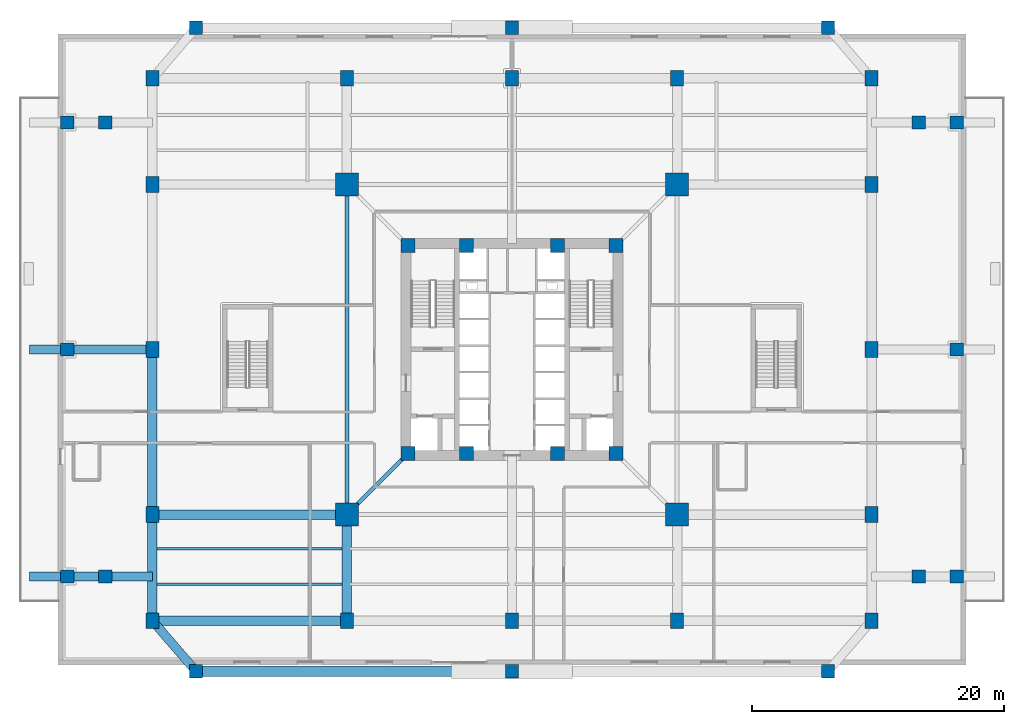
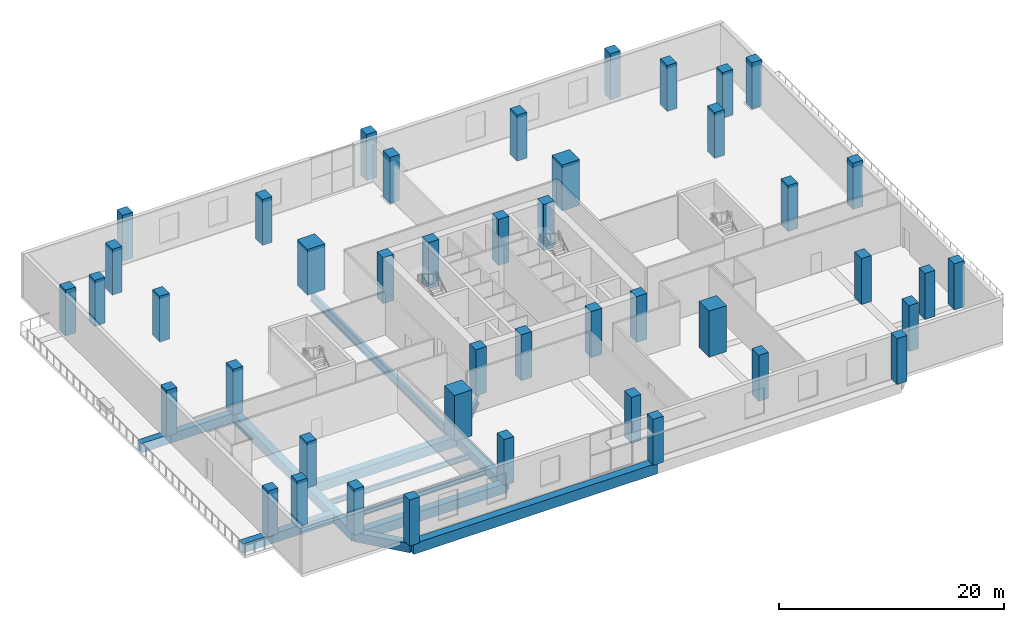
# One storey, part 1 of 15: 44 columns, 16 beams.
"""IFC4 building model written with IfcOpenShell, lengths in metres."""

from ifc_helpers import new_model, si_unit, direction, frame, origin, origin_2d, place, context, subcontext, project, spatial, rectangle, i_section, extrude, source, transform, mapped, material, material_profile, profile_set, type_object, element, save


model = new_model("IFC4")

# Units and contexts
model_context = context("Model", 3, precision=1e-05, world=origin(), true_north=direction((0.0, 1.0)))
body_context = subcontext(model_context, "Body", "Model", "MODEL_VIEW")
ifc_project = project(units=[si_unit("LENGTHUNIT", "METRE"), si_unit("AREAUNIT", "SQUARE_METRE"), si_unit("VOLUMEUNIT", "CUBIC_METRE"), si_unit("PLANEANGLEUNIT", "RADIAN"), si_unit("MASSUNIT", "GRAM", prefix="KILO"), si_unit("THERMODYNAMICTEMPERATUREUNIT", "KELVIN")], contexts=[model_context])

# Site, building, storey
site_placement = place(None, origin())
site = spatial("IfcSite", under=ifc_project, at=site_placement, CompositionType="ELEMENT")
building_placement = place(site_placement, origin())
building = spatial("IfcBuilding", under=site, at=building_placement, Name="Kosmvard Interchange Tower", CompositionType="ELEMENT")
storey_placement = place(building_placement, frame((0.0, 0.0, 11.0)))
storey = spatial("IfcBuildingStorey", under=building, at=storey_placement, Name="L02", CompositionType="ELEMENT", Elevation=11.0)

# Columns
ifc_material_1 = material(Name="Concrete C80/95", Category="concrete")
ifc_material_profile_1 = material_profile(ifc_material_1, rectangle(XDim=1.10009765625, YDim=1.10009765625, at=origin_2d()), Name="CP 1100x1100")
ifc_profile_set_1 = profile_set([ifc_material_profile_1], Name="Concrete C80/95")
column_type_1 = type_object("IfcColumnType", Name="Core Boundary Pilaster 1100x1100 C80/95", PredefinedType="PILASTER", material=ifc_profile_set_1)
shared_shape_1 = source(origin(), body_context, "Body", "SweptSolid", [
    extrude(rectangle(XDim=1.10009765625, YDim=1.10009765625, at=origin_2d()), origin(), (0.0, 0.0, 1.0), 5.0),
])
for number, where, z_axis, x_axis, name in (
    (1, (-8.25, -8.25, 0.0), (0.0, 0.0, 1.0), (1.0, 0.0, 0.0), "L02 Core Pilaster CP1"),
    (2, (8.25, -8.25, 0.0), (0.0, 0.0, 1.0), (1.0, 0.0, 0.0), "L02 Core Pilaster CP2"),
    (3, (8.25, 8.25, 0.0), (0.0, 0.0, 1.0), (1.0, 0.0, 0.0), "L02 Core Pilaster CP3"),
    (4, (-8.25, 8.25, 0.0), (0.0, 0.0, 1.0), (1.0, 0.0, 0.0), "L02 Core Pilaster CP4"),
    (5, (-3.60009765625, -8.25, 0.0), (0.0, 0.0, 1.0), (1.0, 0.0, 0.0), "L02 Core Pilaster CP5"),
    (6, (3.60009765625, -8.25, 0.0), (0.0, 0.0, 1.0), (1.0, 0.0, 0.0), "L02 Core Pilaster CP6"),
    (7, (-3.60009765625, 8.25, 0.0), (0.0, 0.0, 1.0), (1.0, 0.0, 0.0), "L02 Core Pilaster CP7"),
    (8, (3.60009765625, 8.25, 0.0), (0.0, 0.0, 1.0), (1.0, 0.0, 0.0), "L02 Core Pilaster CP8"),
):
    element("IfcColumn", number, at=place(storey_placement, frame(where, z_axis=z_axis, x_axis=x_axis)), inside=storey, type_object=column_type_1, Name=name, PredefinedType="PILASTER", context=body_context, shape_type="MappedRepresentation", body=[
        mapped(shared_shape_1, transform((0.0, 0.0, 0.0), scale=1.0)),
    ])
ifc_material_profile_2 = material_profile(ifc_material_1, rectangle(XDim=1.800048828125, YDim=1.800048828125, at=origin_2d()), Name="MC 1800x1800")
ifc_profile_set_2 = profile_set([ifc_material_profile_2], Name="Concrete C80/95")
column_type_2 = type_object("IfcColumnType", Name="Composite Mega-Column 1800x1800 C80/95", PredefinedType="COLUMN", material=ifc_profile_set_2)
shared_shape_2 = source(origin(), body_context, "Body", "SweptSolid", [
    extrude(rectangle(XDim=1.800048828125, YDim=1.800048828125, at=origin_2d()), origin(), (0.0, 0.0, 1.0), 5.0),
])
for number, where, z_axis, x_axis, name in (
    (9, (-13.0810546875, -13.0810546875, 0.0), (0.0, 0.0, 1.0), (1.0, 0.0, 0.0), "L02 Corner Mega-Column MC1"),
    (10, (13.0810546875, -13.0810546875, 0.0), (0.0, 0.0, 1.0), (1.0, 0.0, 0.0), "L02 Corner Mega-Column MC2"),
    (11, (13.0810546875, 13.0810546875, 0.0), (0.0, 0.0, 1.0), (1.0, 0.0, 0.0), "L02 Corner Mega-Column MC3"),
    (12, (-13.0810546875, 13.0810546875, 0.0), (0.0, 0.0, 1.0), (1.0, 0.0, 0.0), "L02 Corner Mega-Column MC4"),
):
    element("IfcColumn", number, at=place(storey_placement, frame(where, z_axis=z_axis, x_axis=x_axis)), inside=storey, type_object=column_type_2, Name=name, PredefinedType="COLUMN", context=body_context, shape_type="MappedRepresentation", body=[
        mapped(shared_shape_2, transform((0.0, 0.0, 0.0), scale=1.0)),
    ])
ifc_material_2 = material(Name="Concrete C60/75", Category="concrete")
ifc_material_profile_3 = material_profile(ifc_material_2, rectangle(XDim=1.0, YDim=1.25, at=origin_2d()), Name="PC 1250x1000")
ifc_profile_set_3 = profile_set([ifc_material_profile_3], Name="Concrete C60/75")
column_type_3 = type_object("IfcColumnType", Name="Podium Concourse Column 1250x1000 C60/75", PredefinedType="COLUMN", material=ifc_profile_set_3)
shared_shape_3 = source(origin(), body_context, "Body", "SweptSolid", [
    extrude(rectangle(XDim=1.0, YDim=1.25, at=origin_2d()), origin(), (0.0, 0.0, 1.0), 5.0),
])
for number, where, z_axis, x_axis, name in (
    (13, (-28.5, -21.5, 0.0), (0.0, 0.0, 1.0), (1.0, 0.0, 0.0), "L02 Podium Column PC-S1"),
    (14, (-13.0810546875, -21.5, 0.0), (0.0, 0.0, 1.0), (1.0, 0.0, 0.0), "L02 Podium Column PC-S2"),
    (15, (0.0, -21.5, 0.0), (0.0, 0.0, 1.0), (1.0, 0.0, 0.0), "L02 Podium Column PC-S3"),
    (16, (13.0810546875, -21.5, 0.0), (0.0, 0.0, 1.0), (1.0, 0.0, 0.0), "L02 Podium Column PC-S4"),
    (17, (28.5, -21.5, 0.0), (0.0, 0.0, 1.0), (1.0, 0.0, 0.0), "L02 Podium Column PC-S5"),
    (18, (-28.5, 21.5, 0.0), (0.0, 0.0, 1.0), (1.0, 0.0, 0.0), "L02 Podium Column PC-N1"),
    (19, (-13.0810546875, 21.5, 0.0), (0.0, 0.0, 1.0), (1.0, 0.0, 0.0), "L02 Podium Column PC-N2"),
    (20, (0.0, 21.5, 0.0), (0.0, 0.0, 1.0), (1.0, 0.0, 0.0), "L02 Podium Column PC-N3"),
    (21, (13.0810546875, 21.5, 0.0), (0.0, 0.0, 1.0), (1.0, 0.0, 0.0), "L02 Podium Column PC-N4"),
    (22, (28.5, 21.5, 0.0), (0.0, 0.0, 1.0), (1.0, 0.0, 0.0), "L02 Podium Column PC-N5"),
    (23, (-28.5, -13.0810546875, 0.0), (0.0, 0.0, 1.0), (1.0, 0.0, 0.0), "L02 Podium Column PC-W1"),
    (24, (-28.5, 0.0, 0.0), (0.0, 0.0, 1.0), (1.0, 0.0, 0.0), "L02 Podium Column PC-W2"),
    (25, (-28.5, 13.0810546875, 0.0), (0.0, 0.0, 1.0), (1.0, 0.0, 0.0), "L02 Podium Column PC-W3"),
    (26, (28.5, -13.0810546875, 0.0), (0.0, 0.0, 1.0), (1.0, 0.0, 0.0), "L02 Podium Column PC-E1"),
    (27, (28.5, 0.0, 0.0), (0.0, 0.0, 1.0), (1.0, 0.0, 0.0), "L02 Podium Column PC-E2"),
    (28, (28.5, 13.0810546875, 0.0), (0.0, 0.0, 1.0), (1.0, 0.0, 0.0), "L02 Podium Column PC-E3"),
):
    element("IfcColumn", number, at=place(storey_placement, frame(where, z_axis=z_axis, x_axis=x_axis)), inside=storey, type_object=column_type_3, Name=name, PredefinedType="COLUMN", context=body_context, shape_type="MappedRepresentation", body=[
        mapped(shared_shape_3, transform((0.0, 0.0, 0.0), scale=1.0)),
    ])
ifc_material_profile_4 = material_profile(ifc_material_2, rectangle(XDim=1.050048828125, YDim=1.050048828125, at=origin_2d()), Name="PC 1050x1050")
ifc_profile_set_4 = profile_set([ifc_material_profile_4], Name="Concrete C60/75")
column_type_4 = type_object("IfcColumnType", Name="Podium Perimeter Column 1050x1050 C60/75", PredefinedType="COLUMN", material=ifc_profile_set_4)
shared_shape_4 = source(origin(), body_context, "Body", "SweptSolid", [
    extrude(rectangle(XDim=1.050048828125, YDim=1.050048828125, at=origin_2d()), origin(), (0.0, 0.0, 1.0), 5.0),
])
for number, where, z_axis, x_axis, name in (
    (29, (-25.050048828125, -25.5, 0.0), (0.0, 0.0, 1.0), (1.0, 0.0, 0.0), "L02 Podium Column PC-TS1"),
    (30, (0.0, -25.5, 0.0), (0.0, 0.0, 1.0), (1.0, 0.0, 0.0), "L02 Podium Column PC-TS2"),
    (31, (25.050048828125, -25.5, 0.0), (0.0, 0.0, 1.0), (1.0, 0.0, 0.0), "L02 Podium Column PC-TS3"),
    (32, (-25.050048828125, 25.5, 0.0), (0.0, 0.0, 1.0), (1.0, 0.0, 0.0), "L02 Podium Column PC-TN1"),
    (33, (0.0, 25.5, 0.0), (0.0, 0.0, 1.0), (1.0, 0.0, 0.0), "L02 Podium Column PC-TN2"),
    (34, (25.050048828125, 25.5, 0.0), (0.0, 0.0, 1.0), (1.0, 0.0, 0.0), "L02 Podium Column PC-TN3"),
    (35, (-32.25, -18.0, 0.0), (0.0, 0.0, 1.0), (1.0, 0.0, 0.0), "L02 Podium Column PC-TW3"),
    (36, (-32.25, 18.0, 0.0), (0.0, 0.0, 1.0), (1.0, 0.0, 0.0), "L02 Podium Column PC-TW4"),
    (37, (32.25, -18.0, 0.0), (0.0, 0.0, 1.0), (1.0, 0.0, 0.0), "L02 Podium Column PC-TE3"),
    (38, (32.25, 18.0, 0.0), (0.0, 0.0, 1.0), (1.0, 0.0, 0.0), "L02 Podium Column PC-TE4"),
    (39, (-35.25, -18.0, 0.0), (0.0, 0.0, 1.0), (1.0, 0.0, 0.0), "L02 Podium Column PC-TW2"),
    (40, (-35.25, 0.0, 0.0), (0.0, 0.0, 1.0), (1.0, 0.0, 0.0), "L02 Podium Column PC-TW5"),
    (41, (-35.25, 18.0, 0.0), (0.0, 0.0, 1.0), (1.0, 0.0, 0.0), "L02 Podium Column PC-TW6"),
    (42, (35.25, -18.0, 0.0), (0.0, 0.0, 1.0), (1.0, 0.0, 0.0), "L02 Podium Column PC-TE2"),
    (43, (35.25, 0.0, 0.0), (0.0, 0.0, 1.0), (1.0, 0.0, 0.0), "L02 Podium Column PC-TE5"),
    (44, (35.25, 18.0, 0.0), (0.0, 0.0, 1.0), (1.0, 0.0, 0.0), "L02 Podium Column PC-TE6"),
):
    element("IfcColumn", number, at=place(storey_placement, frame(where, z_axis=z_axis, x_axis=x_axis)), inside=storey, type_object=column_type_4, Name=name, PredefinedType="COLUMN", context=body_context, shape_type="MappedRepresentation", body=[
        mapped(shared_shape_4, transform((0.0, 0.0, 0.0), scale=1.0)),
    ])

# Beams
ifc_material_3 = material(Name="Steel S460", Category="steel")
ifc_material_profile_5 = material_profile(ifc_material_3, i_section(OverallWidth=0.30810546875, OverallDepth=0.909912109375, WebThickness=0.02099609375, FlangeThickness=0.0400390625, FilletRadius=0.027099609375, at=origin_2d()), Name="HEM 900")
ifc_profile_set_5 = profile_set([ifc_material_profile_5], Name="Steel S460")
beam_type_1 = type_object("IfcBeamType", Name="Primary Mega-Frame Girder HEM 900 S460", PredefinedType="BEAM", material=ifc_profile_set_5)
shared_shape_5 = source(origin(), body_context, "Body", "SweptSolid", [
    extrude(i_section(OverallWidth=0.30810546875, OverallDepth=0.909912109375, WebThickness=0.02099609375, FlangeThickness=0.0400390625, FilletRadius=0.027099609375, at=origin_2d()), origin(), (0.0, 0.0, 1.0), 6.83203125),
])
beam_1_placement = place(storey_placement, frame((-8.25, -8.25, -0.794921875), z_axis=(-0.707106781187, -0.707106781187, 0.0), x_axis=(0.707106781187, -0.707106781187, 0.0)))
element("IfcBeam", 45, at=beam_1_placement, inside=storey, type_object=beam_type_1, Name="L02 Radial Mega-Frame Girder 1", PredefinedType="BEAM", context=body_context, shape_type="MappedRepresentation", body=[
    mapped(shared_shape_5, transform((0.0, 0.0, 0.0), scale=1.0)),
])
ifc_material_profile_6 = material_profile(ifc_material_3, i_section(OverallWidth=0.30908203125, OverallDepth=1.008056640625, WebThickness=0.02099609375, FlangeThickness=0.0400390625, FilletRadius=0.030029296875, at=origin_2d()), Name="HEM 1000")
ifc_profile_set_6 = profile_set([ifc_material_profile_6], Name="Steel S460")
beam_type_2 = type_object("IfcBeamType", Name="Mega-Column Ring Girder HEM 1000 S460", PredefinedType="BEAM", material=ifc_profile_set_6)
shared_shape_6 = source(origin(), body_context, "Body", "SweptSolid", [
    extrude(i_section(OverallWidth=0.30908203125, OverallDepth=1.008056640625, WebThickness=0.02099609375, FlangeThickness=0.0400390625, FilletRadius=0.030029296875, at=origin_2d()), origin(), (0.0, 0.0, 1.0), 26.162109375),
])
beam_2_placement = place(storey_placement, frame((-13.0810546875, 13.0810546875, -0.843994140625), z_axis=(0.0, -1.0, 0.0), x_axis=(1.0, 0.0, 0.0)))
element("IfcBeam", 46, at=beam_2_placement, inside=storey, type_object=beam_type_2, Name="L02 Mega-Column Ring Girder 4", PredefinedType="BEAM", context=body_context, shape_type="MappedRepresentation", body=[
    mapped(shared_shape_6, transform((0.0, 0.0, 0.0), scale=1.0)),
])
ifc_material_4 = material(Name="Steel S355", Category="steel")
ifc_material_profile_7 = material_profile(ifc_material_4, i_section(OverallWidth=0.219970703125, OverallDepth=0.60009765625, WebThickness=0.011962890625, FlangeThickness=0.01904296875, FilletRadius=0.02392578125, at=origin_2d()), Name="IPE 600")
ifc_profile_set_7 = profile_set([ifc_material_profile_7], Name="Steel S355")
beam_type_3 = type_object("IfcBeamType", Name="Long-Span Floor Joist IPE 600 S355", PredefinedType="JOIST", material=ifc_profile_set_7)
shared_shape_7 = source(origin(), body_context, "Body", "SweptSolid", [
    extrude(i_section(OverallWidth=0.219970703125, OverallDepth=0.60009765625, WebThickness=0.011962890625, FlangeThickness=0.01904296875, FilletRadius=0.02392578125, at=origin_2d()), origin(), (0.0, 0.0, 1.0), 14.949951171875),
])
for number, where, z_axis, x_axis, name in (
    (47, (-28.25, -18.60009765625, -0.639892578125), (1.0, 0.0, 0.0), (0.0, 1.0, 0.0), "BM-L02-PJ01"),
    (48, (-28.25, -15.800048828125, -0.639892578125), (1.0, 0.0, 0.0), (0.0, 1.0, 0.0), "BM-L02-PJ05"),
):
    element("IfcBeam", number, at=place(storey_placement, frame(where, z_axis=z_axis, x_axis=x_axis)), inside=storey, type_object=beam_type_3, Name=name, PredefinedType="JOIST", context=body_context, shape_type="MappedRepresentation", body=[
        mapped(shared_shape_7, transform((0.0, 0.0, 0.0), scale=1.0)),
    ])
ifc_material_profile_8 = material_profile(ifc_material_2, rectangle(XDim=0.75, YDim=1.050048828125, at=origin_2d()), Name="RCG 750x1050")
ifc_profile_set_8 = profile_set([ifc_material_profile_8], Name="Concrete C60/75")
beam_type_4 = type_object("IfcBeamType", Name="Concourse Mid-Span RC Girder 750x1050 C60/75", PredefinedType="BEAM", material=ifc_profile_set_8)
shared_shape_8 = source(origin(), body_context, "Body", "SweptSolid", [
    extrude(rectangle(XDim=0.75, YDim=1.050048828125, at=origin_2d()), origin(), (0.0, 0.0, 1.0), 15.4189453125),
])
for number, where, z_axis, x_axis, name in (
    (49, (-28.5, -21.5, -0.52490234375), (1.0, 0.0, 0.0), (0.0, 1.0, 0.0), "BM-L02-PG-S1"),
    (50, (-28.5, -13.0810546875, -0.52490234375), (1.0, 0.0, 0.0), (0.0, 1.0, 0.0), "BM-L02-PG-CW1"),
):
    element("IfcBeam", number, at=place(storey_placement, frame(where, z_axis=z_axis, x_axis=x_axis)), inside=storey, type_object=beam_type_4, Name=name, PredefinedType="BEAM", context=body_context, shape_type="MappedRepresentation", body=[
        mapped(shared_shape_8, transform((0.0, 0.0, 0.0), scale=1.0)),
    ])
shared_shape_9 = source(origin(), body_context, "Body", "SweptSolid", [
    extrude(rectangle(XDim=0.75, YDim=1.050048828125, at=origin_2d()), origin(), (0.0, 0.0, 1.0), 13.0810546875),
])
beam_3_placement = place(storey_placement, frame((-28.5, -13.0810546875, -0.52490234375), z_axis=(0.0, 1.0, 0.0), x_axis=(-1.0, 0.0, 0.0)))
element("IfcBeam", 51, at=beam_3_placement, inside=storey, type_object=beam_type_4, Name="BM-L02-PG-W2", PredefinedType="BEAM", context=body_context, shape_type="MappedRepresentation", body=[
    mapped(shared_shape_9, transform((0.0, 0.0, 0.0), scale=1.0)),
])
shared_shape_10 = source(origin(), body_context, "Body", "SweptSolid", [
    extrude(rectangle(XDim=0.75, YDim=1.050048828125, at=origin_2d()), origin(), (0.0, 0.0, 1.0), 8.4189453125),
])
for number, where, z_axis, x_axis, name in (
    (52, (-28.5, -21.5, -0.52490234375), (0.0, 1.0, 0.0), (-1.0, 0.0, 0.0), "BM-L02-PG-W1"),
    (53, (-13.0810546875, -21.5, -0.52490234375), (0.0, 1.0, 0.0), (-1.0, 0.0, 0.0), "BM-L02-PG-CS1"),
):
    element("IfcBeam", number, at=place(storey_placement, frame(where, z_axis=z_axis, x_axis=x_axis)), inside=storey, type_object=beam_type_4, Name=name, PredefinedType="BEAM", context=body_context, shape_type="MappedRepresentation", body=[
        mapped(shared_shape_10, transform((0.0, 0.0, 0.0), scale=1.0)),
    ])
ifc_material_profile_9 = material_profile(ifc_material_2, rectangle(XDim=0.800048828125, YDim=1.14990234375, at=origin_2d()), Name="RCG 800x1150")
ifc_profile_set_9 = profile_set([ifc_material_profile_9], Name="Concrete C60/75")
beam_type_5 = type_object("IfcBeamType", Name="Concourse Long-Span RC Girder 800x1150 C60/75", PredefinedType="BEAM", material=ifc_profile_set_9)
shared_shape_11 = source(origin(), body_context, "Body", "SweptSolid", [
    extrude(rectangle(XDim=0.800048828125, YDim=1.14990234375, at=origin_2d()), origin(), (0.0, 0.0, 1.0), 25.050048828125),
])
beam_4_placement = place(storey_placement, frame((-25.050048828125, -25.5, -0.574951171875), z_axis=(1.0, 0.0, 0.0), x_axis=(0.0, 1.0, 0.0)))
element("IfcBeam", 54, at=beam_4_placement, inside=storey, type_object=beam_type_5, Name="BM-L02-PG-TS1", PredefinedType="BEAM", context=body_context, shape_type="MappedRepresentation", body=[
    mapped(shared_shape_11, transform((0.0, 0.0, 0.0), scale=1.0)),
])
ifc_material_profile_10 = material_profile(ifc_material_2, rectangle(XDim=0.699951171875, YDim=1.0, at=origin_2d()), Name="RCG 700x1000")
ifc_profile_set_10 = profile_set([ifc_material_profile_10], Name="Concrete C60/75")
beam_type_6 = type_object("IfcBeamType", Name="Concourse Primary RC Girder 700x1000 C60/75", PredefinedType="BEAM", material=ifc_profile_set_10)
shared_shape_12 = source(origin(), body_context, "Body", "SweptSolid", [
    extrude(rectangle(XDim=0.699951171875, YDim=1.0, at=origin_2d()), origin(), (0.0, 0.0, 1.0), 5.2822265625),
])
beam_5_placement = place(storey_placement, frame((-25.050048828125, -25.5, -0.5), z_axis=(-0.653121547432, 0.757253091298, 0.0), x_axis=(-0.757253091298, -0.653121547432, 0.0)))
element("IfcBeam", 55, at=beam_5_placement, inside=storey, type_object=beam_type_6, Name="BM-L02-PG-TSL", PredefinedType="BEAM", context=body_context, shape_type="MappedRepresentation", body=[
    mapped(shared_shape_12, transform((0.0, 0.0, 0.0), scale=1.0)),
])
shared_shape_13 = source(origin(), body_context, "Body", "SweptSolid", [
    extrude(rectangle(XDim=0.699951171875, YDim=1.0, at=origin_2d()), origin(), (0.0, 0.0, 1.0), 3.75),
])
beam_6_placement = place(storey_placement, frame((-28.5, -18.0, -0.5), z_axis=(-1.0, 0.0, 0.0), x_axis=(0.0, -1.0, 0.0)))
element("IfcBeam", 56, at=beam_6_placement, inside=storey, type_object=beam_type_6, Name="BM-L02-PG-TCW11", PredefinedType="BEAM", context=body_context, shape_type="MappedRepresentation", body=[
    mapped(shared_shape_13, transform((0.0, 0.0, 0.0), scale=1.0)),
])
shared_shape_14 = source(origin(), body_context, "Body", "SweptSolid", [
    extrude(rectangle(XDim=0.699951171875, YDim=1.0, at=origin_2d()), origin(), (0.0, 0.0, 1.0), 3.0),
])
for number, where, z_axis, x_axis, name in (
    (57, (-32.25, -18.0, -0.5), (-1.0, 0.0, 0.0), (0.0, -1.0, 0.0), "BM-L02-PG-TCW12"),
    (58, (-35.25, -18.0, -0.5), (-1.0, 0.0, 0.0), (0.0, -1.0, 0.0), "BM-L02-PG-TCW13"),
    (59, (-35.25, 0.0, -0.5), (-1.0, 0.0, 0.0), (0.0, -1.0, 0.0), "BM-L02-PG-TCW22"),
):
    element("IfcBeam", number, at=place(storey_placement, frame(where, z_axis=z_axis, x_axis=x_axis)), inside=storey, type_object=beam_type_6, Name=name, PredefinedType="BEAM", context=body_context, shape_type="MappedRepresentation", body=[
        mapped(shared_shape_14, transform((0.0, 0.0, 0.0), scale=1.0)),
    ])
shared_shape_15 = source(origin(), body_context, "Body", "SweptSolid", [
    extrude(rectangle(XDim=0.699951171875, YDim=1.0, at=origin_2d()), origin(), (0.0, 0.0, 1.0), 6.75),
])
beam_7_placement = place(storey_placement, frame((-28.5, 0.0, -0.5), z_axis=(-1.0, 0.0, 0.0), x_axis=(0.0, -1.0, 0.0)))
element("IfcBeam", 60, at=beam_7_placement, inside=storey, type_object=beam_type_6, Name="BM-L02-PG-TCW21", PredefinedType="BEAM", context=body_context, shape_type="MappedRepresentation", body=[
    mapped(shared_shape_15, transform((0.0, 0.0, 0.0), scale=1.0)),
])

save(model, "model.ifc")
